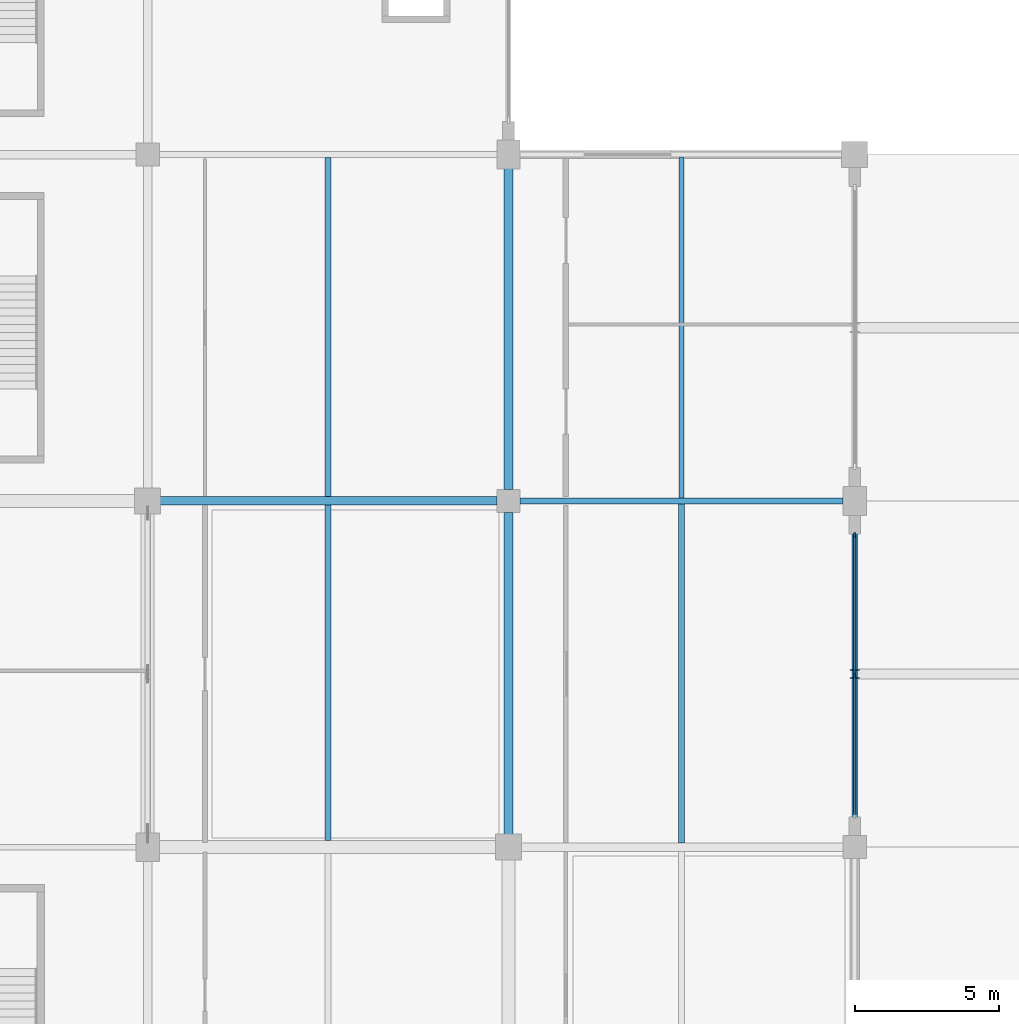
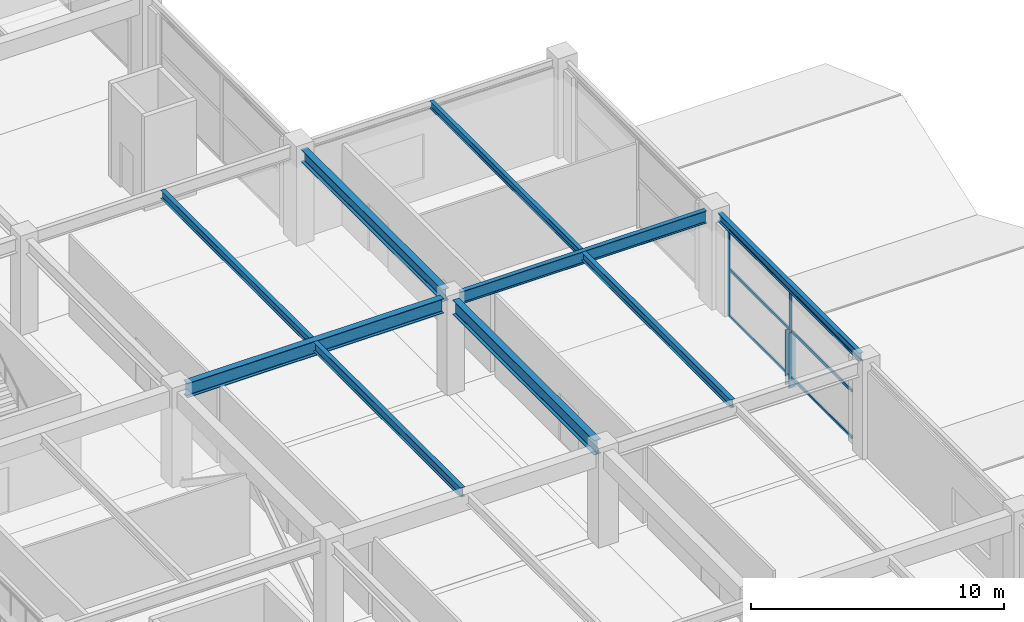
# One storey, part 49 of 134: 9 beams, 9 members, 1 element without a shape of its own.
"""IFC4 building model written with IfcOpenShell, lengths in metres."""

from ifc_helpers import new_model, si_unit, direction, frame, origin, origin_2d, place, context, subcontext, project, spatial, rectangle, i_section, extrude, material, layer, layer_set, material_profile, profile_set, type_object, element, aggregate, save


model = new_model("IFC4")

# Units and contexts
model_context = context("Model", 3, precision=1e-05, world=origin(), true_north=direction((0.0, 1.0)))
body_context = subcontext(model_context, "Body", "Model", "MODEL_VIEW")
ifc_project = project(units=[si_unit("LENGTHUNIT", "METRE"), si_unit("AREAUNIT", "SQUARE_METRE"), si_unit("VOLUMEUNIT", "CUBIC_METRE"), si_unit("PLANEANGLEUNIT", "RADIAN"), si_unit("MASSUNIT", "GRAM", prefix="KILO")], contexts=[model_context])

# Site, building, storey
site_placement = place(None, origin())
site = spatial("IfcSite", under=ifc_project, at=site_placement, CompositionType="ELEMENT")
building_placement = place(site_placement, origin())
building = spatial("IfcBuilding", under=site, at=building_placement, Name="Kazenohara Klinker Stadium", CompositionType="ELEMENT")
storey_placement = place(building_placement, frame((0.0, 0.0, 5.39990234375)))
storey = spatial("IfcBuildingStorey", under=building, at=storey_placement, Name="L01", CompositionType="ELEMENT", Elevation=5.39990234375)

# Beams
ifc_material_1 = material(Name="Steel S355", Category="steel")
ifc_material_profile_1 = material_profile(ifc_material_1, i_section(OverallWidth=0.199951171875, OverallDepth=0.449951171875, WebThickness=0.009033203125, FlangeThickness=0.013916015625, FilletRadius=0.012939453125, at=origin_2d()), Name="H-450x200x9x14")
ifc_profile_set_1 = profile_set([ifc_material_profile_1], Name="Steel S355")
beam_type_1 = type_object("IfcBeamType", Name="BM-JST02", PredefinedType="JOIST", material=ifc_profile_set_1)
beam_1_placement = place(storey_placement, frame((193.75, 108.22509765625, 4.3251953125), z_axis=(0.0, 1.0, 0.0), x_axis=(-1.0, 0.0, 0.0)))
element("IfcBeam", 1, at=beam_1_placement, inside=storey, type_object=beam_type_1, Name="Secondary floor joist SJ02 L01 16/K", PredefinedType="JOIST", context=body_context, shape_type="SweptSolid", body=[
    extrude(i_section(OverallWidth=0.199951171875, OverallDepth=0.449951171875, WebThickness=0.009033203125, FlangeThickness=0.013916015625, FilletRadius=0.012939453125, at=origin_2d()), origin(), (0.0, 0.0, 1.0), 11.625),
])
ifc_material_profile_2 = material_profile(ifc_material_1, i_section(OverallWidth=0.199951171875, OverallDepth=0.39990234375, WebThickness=0.008056640625, FlangeThickness=0.012939453125, FilletRadius=0.012939453125, at=origin_2d()), Name="H-400x200x8x13")
ifc_profile_set_2 = profile_set([ifc_material_profile_2], Name="Steel S355")
beam_type_2 = type_object("IfcBeamType", Name="BM-JST03", PredefinedType="JOIST", material=ifc_profile_set_2)
for number, where, z_axis, x_axis, name in (
    (2, (193.75, 120.14990234375, 4.35009765625), (0.0, 1.0, 0.0), (-1.0, 0.0, 0.0), "Secondary floor joist SJ03 L01 16/L"),
    (3, (206.0, 108.14990234375, 4.35009765625), (0.0, 1.0, 0.0), (-1.0, 0.0, 0.0), "Secondary floor joist SJ03 L01 17/K"),
):
    element("IfcBeam", number, at=place(storey_placement, frame(where, z_axis=z_axis, x_axis=x_axis)), inside=storey, type_object=beam_type_2, Name=name, PredefinedType="JOIST", context=body_context, shape_type="SweptSolid", body=[
        extrude(i_section(OverallWidth=0.199951171875, OverallDepth=0.39990234375, WebThickness=0.008056640625, FlangeThickness=0.012939453125, FilletRadius=0.012939453125, at=origin_2d()), origin(), (0.0, 0.0, 1.0), 11.75),
    ])
ifc_material_profile_3 = material_profile(ifc_material_1, i_section(OverallWidth=0.175048828125, OverallDepth=0.35009765625, WebThickness=0.007080078125, FlangeThickness=0.010986328125, FilletRadius=0.012939453125, at=origin_2d()), Name="H-350x175x7x11")
ifc_profile_set_3 = profile_set([ifc_material_profile_3], Name="Steel S355")
beam_type_3 = type_object("IfcBeamType", Name="BM-JST04", PredefinedType="JOIST", material=ifc_profile_set_3)
beam_2_placement = place(storey_placement, frame((206.0, 120.10009765625, 4.375), z_axis=(0.0, 1.0, 0.0), x_axis=(-1.0, 0.0, 0.0)))
element("IfcBeam", 4, at=beam_2_placement, inside=storey, type_object=beam_type_3, Name="Secondary floor joist SJ04 L01 17/L", PredefinedType="JOIST", context=body_context, shape_type="SweptSolid", body=[
    extrude(i_section(OverallWidth=0.175048828125, OverallDepth=0.35009765625, WebThickness=0.007080078125, FlangeThickness=0.010986328125, FilletRadius=0.012939453125, at=origin_2d()), origin(), (0.0, 0.0, 1.0), 11.8125),
])
ifc_material_profile_4 = material_profile(ifc_material_1, i_section(OverallWidth=0.199951171875, OverallDepth=0.39990234375, WebThickness=0.008056640625, FlangeThickness=0.012939453125, FilletRadius=0.012939453125, at=origin_2d()), Name="H-400x200x8x13")
ifc_profile_set_4 = profile_set([ifc_material_profile_4], Name="Steel S355")
beam_type_4 = type_object("IfcBeamType", Name="BM-SPD01", PredefinedType="SPANDREL", material=ifc_profile_set_4)
beam_3_placement = place(storey_placement, frame((212.0, 108.39990234375, 4.35009765625), z_axis=(0.0, 1.0, 0.0), x_axis=(-1.0, 0.0, 0.0)))
element("IfcBeam", 5, at=beam_3_placement, inside=storey, type_object=beam_type_4, Name="Primary girder SP01 L01 18/K-L", PredefinedType="SPANDREL", context=body_context, shape_type="SweptSolid", body=[
    extrude(i_section(OverallWidth=0.199951171875, OverallDepth=0.39990234375, WebThickness=0.008056640625, FlangeThickness=0.012939453125, FilletRadius=0.012939453125, at=origin_2d()), origin(), (0.0, 0.0, 1.0), 11.18017578125),
])
ifc_material_profile_5 = material_profile(ifc_material_1, i_section(OverallWidth=0.300048828125, OverallDepth=0.699951171875, WebThickness=0.012939453125, FlangeThickness=0.02392578125, FilletRadius=0.02197265625, at=origin_2d()), Name="H-700x300x13x24")
ifc_profile_set_5 = profile_set([ifc_material_profile_5], Name="Steel S355")
beam_type_5 = type_object("IfcBeamType", Name="BM-ST03", PredefinedType="BEAM", material=ifc_profile_set_5)
beam_4_placement = place(storey_placement, frame((187.919921875, 120.0, 4.2001953125), z_axis=(1.0, 0.0, 0.0), x_axis=(0.0, 1.0, 0.0)))
element("IfcBeam", 6, at=beam_4_placement, inside=storey, type_object=beam_type_5, Name="Primary girder SB03 L01 16-17/L", PredefinedType="BEAM", context=body_context, shape_type="SweptSolid", body=[
    extrude(i_section(OverallWidth=0.300048828125, OverallDepth=0.699951171875, WebThickness=0.012939453125, FlangeThickness=0.02392578125, FilletRadius=0.02197265625, at=origin_2d()), origin(), (0.0, 0.0, 1.0), 11.68017578125),
])
beam_5_placement = place(storey_placement, frame((200.0, 108.419921875, 4.2001953125), z_axis=(0.0, 1.0, 0.0), x_axis=(-1.0, 0.0, 0.0)))
element("IfcBeam", 7, at=beam_5_placement, inside=storey, type_object=beam_type_5, Name="Primary girder SB03 L01 17/K-L", PredefinedType="BEAM", context=body_context, shape_type="SweptSolid", body=[
    extrude(i_section(OverallWidth=0.300048828125, OverallDepth=0.699951171875, WebThickness=0.012939453125, FlangeThickness=0.02392578125, FilletRadius=0.02197265625, at=origin_2d()), origin(), (0.0, 0.0, 1.0), 11.18017578125),
])
ifc_material_profile_6 = material_profile(ifc_material_1, i_section(OverallWidth=0.199951171875, OverallDepth=0.60009765625, WebThickness=0.010986328125, FlangeThickness=0.01708984375, FilletRadius=0.012939453125, at=origin_2d()), Name="H-600x200x11x17")
ifc_profile_set_6 = profile_set([ifc_material_profile_6], Name="Steel S355")
beam_type_6 = type_object("IfcBeamType", Name="BM-ST04", PredefinedType="BEAM", material=ifc_profile_set_6)
beam_6_placement = place(storey_placement, frame((200.39990234375, 120.0, 4.25), z_axis=(1.0, 0.0, 0.0), x_axis=(0.0, 1.0, 0.0)))
element("IfcBeam", 8, at=beam_6_placement, inside=storey, type_object=beam_type_6, Name="Primary girder SB04 L01 17-18/L", PredefinedType="BEAM", context=body_context, shape_type="SweptSolid", body=[
    extrude(i_section(OverallWidth=0.199951171875, OverallDepth=0.60009765625, WebThickness=0.010986328125, FlangeThickness=0.01708984375, FilletRadius=0.012939453125, at=origin_2d()), origin(), (0.0, 0.0, 1.0), 11.2001953125),
])
ifc_material_profile_7 = material_profile(ifc_material_1, i_section(OverallWidth=0.300048828125, OverallDepth=0.587890625, WebThickness=0.011962890625, FlangeThickness=0.02001953125, FilletRadius=0.02197265625, at=origin_2d()), Name="H-588x300x12x20")
ifc_profile_set_7 = profile_set([ifc_material_profile_7], Name="Steel S355")
beam_type_7 = type_object("IfcBeamType", Name="BM-ST05", PredefinedType="BEAM", material=ifc_profile_set_7)
beam_7_placement = place(storey_placement, frame((200.0, 120.39990234375, 4.256103515625), z_axis=(0.0, 1.0, 0.0), x_axis=(-1.0, 0.0, 0.0)))
element("IfcBeam", 9, at=beam_7_placement, inside=storey, type_object=beam_type_7, Name="Primary girder SB05 L01 17/L-M", PredefinedType="BEAM", context=body_context, shape_type="SweptSolid", body=[
    extrude(i_section(OverallWidth=0.300048828125, OverallDepth=0.587890625, WebThickness=0.011962890625, FlangeThickness=0.02001953125, FilletRadius=0.02197265625, at=origin_2d()), origin(), (0.0, 0.0, 1.0), 11.18017578125),
])

# Curtain wall, members
ifc_material_2 = material(Name="Anodised aluminium and triple glazing", Category="aluminium")
ifc_layer = layer(ifc_material_2, 0.18994140625)
ifc_layer_set = layer_set([ifc_layer], Name="Anodised aluminium and triple glazing")
curtain_wall_type = type_object("IfcCurtainWallType", Name="CW-SYS-05", PredefinedType="USERDEFINED", material=ifc_layer_set)
curtain_wall_placement = place(storey_placement, origin())
curtain_wall = element("IfcCurtainWall", 10, at=curtain_wall_placement, inside=storey, type_object=curtain_wall_type, Name="Unitised facade curtain wall CW05 L01 Y17-9", ObjectType="UNITISED CURTAIN WALL", PredefinedType="USERDEFINED")
ifc_material_3 = material(Name="Anodised aluminium 6063-T6", Category="aluminium")
ifc_material_profile_8 = material_profile(ifc_material_3, rectangle(XDim=0.06494140625, YDim=0.179931640625, at=origin_2d()), Name="ALU-MUL-65x180")
ifc_profile_set_8 = profile_set([ifc_material_profile_8], Name="Anodised aluminium 6063-T6")
member_type_1 = type_object("IfcMemberType", Name="CW-MUL-180", PredefinedType="MULLION", material=ifc_profile_set_8)
member_1_placement = place(storey_placement, frame((212.0, 113.949951171875, 0.0), z_axis=(0.0, 0.0, 1.0), x_axis=(-1.0, 0.0, 0.0)))
member_1 = element("IfcMember", 11, at=member_1_placement, type_object=member_type_1, Name="CW05 mullion 2", PredefinedType="MULLION", context=body_context, shape_type="SweptSolid", body=[
    extrude(rectangle(XDim=0.06494140625, YDim=0.179931640625, at=origin_2d()), origin(), (0.0, 0.0, 1.0), 4.150146484375),
])
member_2_placement = place(storey_placement, frame((212.0, 118.8134765625, 0.0), z_axis=(0.0, 0.0, 1.0), x_axis=(-1.0, 0.0, 0.0)))
member_2 = element("IfcMember", 12, at=member_2_placement, type_object=member_type_1, Name="CW05 mullion 3", PredefinedType="MULLION", context=body_context, shape_type="SweptSolid", body=[
    extrude(rectangle(XDim=0.06494140625, YDim=0.179931640625, at=origin_2d()), origin(), (0.0, 0.0, 1.0), 4.150146484375),
])
ifc_material_profile_9 = material_profile(ifc_material_3, rectangle(XDim=0.06494140625, YDim=0.139892578125, at=origin_2d()), Name="ALU-TRN-65x140")
ifc_profile_set_9 = profile_set([ifc_material_profile_9], Name="Anodised aluminium 6063-T6")
member_type_2 = type_object("IfcMemberType", Name="CW-TRN-140", PredefinedType="USERDEFINED", material=ifc_profile_set_9)
member_3_placement = place(storey_placement, frame((212.0, 109.118896484375, 0.03271484375), z_axis=(0.0, 1.0, 0.0), x_axis=(-1.0, 0.0, 0.0)))
member_3 = element("IfcMember", 13, at=member_3_placement, type_object=member_type_2, Name="CW05 transom 1.1", ObjectType="TRANSOM", PredefinedType="USERDEFINED", context=body_context, shape_type="SweptSolid", body=[
    extrude(rectangle(XDim=0.06494140625, YDim=0.139892578125, at=origin_2d()), origin(), (0.0, 0.0, 1.0), 4.798583984375),
])
member_4_placement = place(storey_placement, frame((212.0, 109.118896484375, 2.28271484375), z_axis=(0.0, 1.0, 0.0), x_axis=(-1.0, 0.0, 0.0)))
member_4 = element("IfcMember", 14, at=member_4_placement, type_object=member_type_2, Name="CW05 transom 1.2", ObjectType="TRANSOM", PredefinedType="USERDEFINED", context=body_context, shape_type="SweptSolid", body=[
    extrude(rectangle(XDim=0.06494140625, YDim=0.139892578125, at=origin_2d()), origin(), (0.0, 0.0, 1.0), 4.798583984375),
])
member_5_placement = place(storey_placement, frame((212.0, 109.118896484375, 4.11767578125), z_axis=(0.0, 1.0, 0.0), x_axis=(-1.0, 0.0, 0.0)))
member_5 = element("IfcMember", 15, at=member_5_placement, type_object=member_type_2, Name="CW05 transom 1.3", ObjectType="TRANSOM", PredefinedType="USERDEFINED", context=body_context, shape_type="SweptSolid", body=[
    extrude(rectangle(XDim=0.06494140625, YDim=0.139892578125, at=origin_2d()), origin(), (0.0, 0.0, 1.0), 4.798583984375),
])
member_6_placement = place(storey_placement, frame((212.0, 113.982421875, 0.03271484375), z_axis=(0.0, 1.0, 0.0), x_axis=(-1.0, 0.0, 0.0)))
member_6 = element("IfcMember", 16, at=member_6_placement, type_object=member_type_2, Name="CW05 transom 2.1", ObjectType="TRANSOM", PredefinedType="USERDEFINED", context=body_context, shape_type="SweptSolid", body=[
    extrude(rectangle(XDim=0.06494140625, YDim=0.139892578125, at=origin_2d()), origin(), (0.0, 0.0, 1.0), 4.798583984375),
])
member_7_placement = place(storey_placement, frame((212.0, 113.982421875, 2.28271484375), z_axis=(0.0, 1.0, 0.0), x_axis=(-1.0, 0.0, 0.0)))
member_7 = element("IfcMember", 17, at=member_7_placement, type_object=member_type_2, Name="CW05 transom 2.2", ObjectType="TRANSOM", PredefinedType="USERDEFINED", context=body_context, shape_type="SweptSolid", body=[
    extrude(rectangle(XDim=0.06494140625, YDim=0.139892578125, at=origin_2d()), origin(), (0.0, 0.0, 1.0), 4.798583984375),
])
member_8_placement = place(storey_placement, frame((212.0, 113.982421875, 4.11767578125), z_axis=(0.0, 1.0, 0.0), x_axis=(-1.0, 0.0, 0.0)))
member_8 = element("IfcMember", 18, at=member_8_placement, type_object=member_type_2, Name="CW05 transom 2.3", ObjectType="TRANSOM", PredefinedType="USERDEFINED", context=body_context, shape_type="SweptSolid", body=[
    extrude(rectangle(XDim=0.06494140625, YDim=0.139892578125, at=origin_2d()), origin(), (0.0, 0.0, 1.0), 4.798583984375),
])
aggregate(curtain_wall, [member_1, member_2, member_3, member_4, member_5, member_6, member_7, member_8])

# Member
ifc_material_profile_10 = material_profile(ifc_material_1, i_section(OverallWidth=0.300048828125, OverallDepth=0.300048828125, WebThickness=0.010009765625, FlangeThickness=0.014892578125, FilletRadius=0.012939453125, at=origin_2d()), Name="H-300x300x10x15")
ifc_profile_set_10 = profile_set([ifc_material_profile_10], Name="Steel S355")
member_type_3 = type_object("IfcMemberType", Name="MEM-STR01", PredefinedType="STRUT", material=ifc_profile_set_10)
member_9_placement = place(storey_placement, frame((212.0, 114.0, -0.429931640625), z_axis=(0.0, 0.0, 1.0), x_axis=(1.0, 0.0, 0.0)))
element("IfcMember", 19, at=member_9_placement, inside=storey, type_object=member_type_3, Name="Stepped pavilion gable king-post L01 18/K W", PredefinedType="STRUT", context=body_context, shape_type="SweptSolid", body=[
    extrude(i_section(OverallWidth=0.300048828125, OverallDepth=0.300048828125, WebThickness=0.010009765625, FlangeThickness=0.014892578125, FilletRadius=0.012939453125, at=origin_2d()), origin(), (0.0, 0.0, 1.0), 2.659912109375),
])

save(model, "model.ifc")
